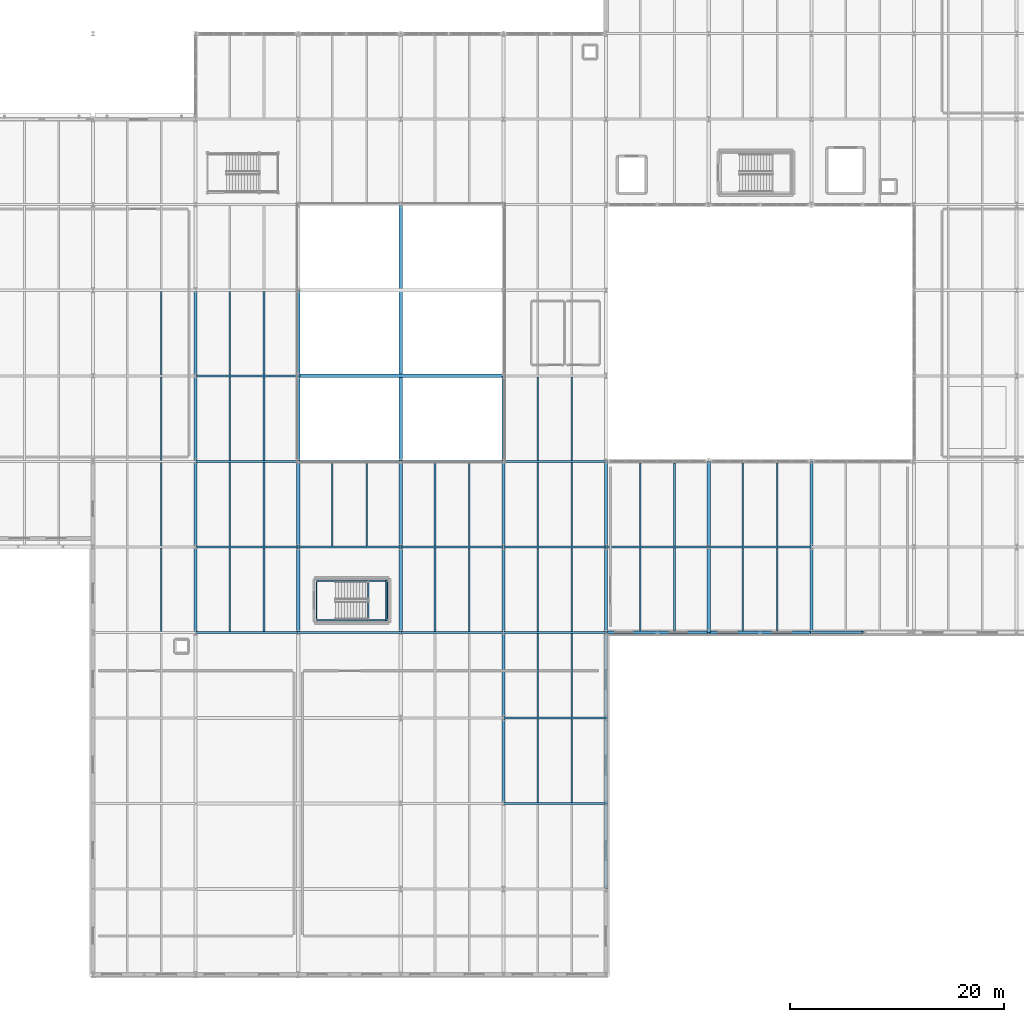
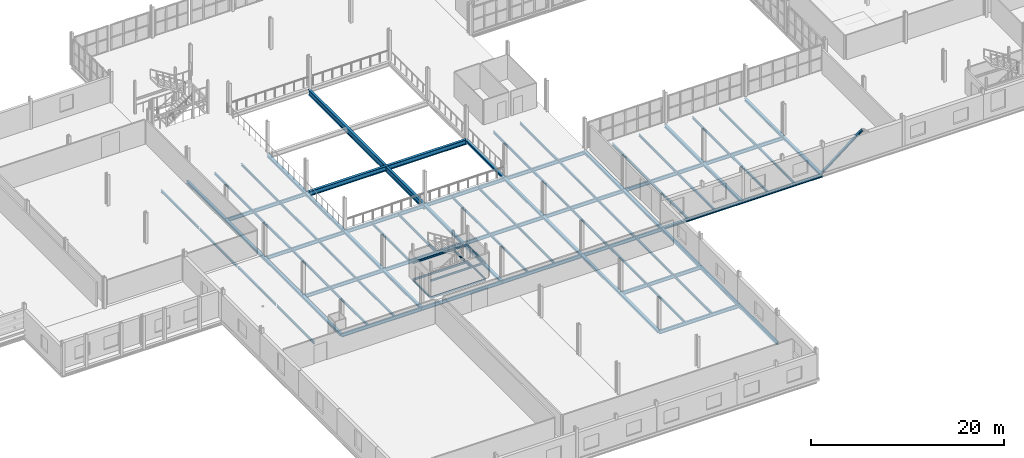
# One storey, part 33 of 78: 89 beams, 1 member.
"""IFC4 building model written with IfcOpenShell, lengths in metres."""

from ifc_helpers import new_model, si_unit, direction, frame, origin, origin_2d, place, context, subcontext, project, spatial, i_section, extrude, material, material_profile, profile_set, type_object, element, save


model = new_model("IFC4")

# Units and contexts
model_context = context("Model", 3, precision=1e-05, world=origin(), true_north=direction((0.0, 1.0)))
body_context = subcontext(model_context, "Body", "Model", "MODEL_VIEW")
ifc_project = project(units=[si_unit("LENGTHUNIT", "METRE"), si_unit("AREAUNIT", "SQUARE_METRE"), si_unit("VOLUMEUNIT", "CUBIC_METRE"), si_unit("PLANEANGLEUNIT", "RADIAN"), si_unit("MASSUNIT", "GRAM", prefix="KILO")], contexts=[model_context])

# Site, building, storey
site_placement = place(None, origin())
site = spatial("IfcSite", under=ifc_project, at=site_placement, CompositionType="ELEMENT")
building_placement = place(site_placement, origin())
building = spatial("IfcBuilding", under=site, at=building_placement, Name="Alderhovde Museum", CompositionType="ELEMENT")
storey_placement = place(building_placement, frame((0.0, 0.0, 4.5)))
storey = spatial("IfcBuildingStorey", under=building, at=storey_placement, Name="L01", CompositionType="ELEMENT", Elevation=4.5)

# Beams
ifc_material_1 = material(Name="Steel S355J2", Category="steel")
ifc_material_profile_1 = material_profile(ifc_material_1, i_section(OverallWidth=0.300048828125, OverallDepth=0.330078125, WebThickness=0.009521484375, FlangeThickness=0.0166015625, FilletRadius=0.027099609375, at=origin_2d()), Name="HEA 340")
ifc_profile_set_1 = profile_set([ifc_material_profile_1], Name="Steel S355J2")
beam_type_1 = type_object("IfcBeamType", Name="BM-HEA340", PredefinedType="BEAM", material=ifc_profile_set_1)
for number, where, z_axis, x_axis, name in (
    (1, (76.800048828125, 32.0, -0.425048828125), (0.0, 1.0, 0.0), (-1.0, 0.0, 0.0), "L01 Grid Beam X=76.8 (32.0 TO 40.0)"),
    (2, (76.800048828125, 40.0, -0.425048828125), (0.0, 1.0, 0.0), (-1.0, 0.0, 0.0), "L01 Grid Beam X=76.8 (40.0 TO 48.0)"),
    (3, (76.800048828125, 48.0, -0.425048828125), (0.0, 1.0, 0.0), (-1.0, 0.0, 0.0), "L01 Grid Beam X=76.8 (48.0 TO 56.0)"),
    (4, (76.800048828125, 56.0, -0.425048828125), (0.0, 1.0, 0.0), (-1.0, 0.0, 0.0), "L01 Grid Beam X=76.8 (56.0 TO 64.0)"),
    (5, (86.39990234375, 32.0, -0.425048828125), (0.0, 1.0, 0.0), (-1.0, 0.0, 0.0), "L01 Grid Beam X=86.4 (32.0 TO 40.0)"),
    (6, (86.39990234375, 40.0, -0.425048828125), (0.0, 1.0, 0.0), (-1.0, 0.0, 0.0), "L01 Grid Beam X=86.4 (40.0 TO 48.0)"),
    (7, (86.39990234375, 48.0, -0.425048828125), (0.0, 1.0, 0.0), (-1.0, 0.0, 0.0), "L01 Grid Beam X=86.4 (48.0 TO 56.0)"),
    (8, (86.39990234375, 56.0, -0.425048828125), (0.0, 1.0, 0.0), (-1.0, 0.0, 0.0), "L01 Grid Beam X=86.4 (56.0 TO 64.0)"),
    (9, (96.0, 32.0, -0.425048828125), (0.0, 1.0, 0.0), (-1.0, 0.0, 0.0), "L01 Grid Beam X=96.0 (32.0 TO 40.0)"),
    (10, (96.0, 40.0, -0.425048828125), (0.0, 1.0, 0.0), (-1.0, 0.0, 0.0), "L01 Grid Beam X=96.0 (40.0 TO 48.0)"),
    (11, (105.60009765625, 16.0, -0.425048828125), (0.0, 1.0, 0.0), (-1.0, 0.0, 0.0), "L01 Grid Beam X=105.6 (16.0 TO 24.0)"),
    (12, (105.60009765625, 24.0, -0.425048828125), (0.0, 1.0, 0.0), (-1.0, 0.0, 0.0), "L01 Grid Beam X=105.6 (24.0 TO 32.0)"),
    (13, (105.60009765625, 32.0, -0.425048828125), (0.0, 1.0, 0.0), (-1.0, 0.0, 0.0), "L01 Grid Beam X=105.6 (32.0 TO 40.0)"),
    (14, (105.60009765625, 40.0, -0.425048828125), (0.0, 1.0, 0.0), (-1.0, 0.0, 0.0), "L01 Grid Beam X=105.6 (40.0 TO 48.0)"),
    (15, (105.60009765625, 48.0, -0.425048828125), (0.0, 1.0, 0.0), (-1.0, 0.0, 0.0), "L01 Grid Beam X=105.6 (48.0 TO 56.0)"),
    (16, (115.199951171875, 8.0, -0.425048828125), (0.0, 1.0, 0.0), (-1.0, 0.0, 0.0), "L01 Grid Beam X=115.2 (8.0 TO 16.0)"),
    (17, (115.199951171875, 16.0, -0.425048828125), (0.0, 1.0, 0.0), (-1.0, 0.0, 0.0), "L01 Grid Beam X=115.2 (16.0 TO 24.0)"),
    (18, (115.199951171875, 24.0, -0.425048828125), (0.0, 1.0, 0.0), (-1.0, 0.0, 0.0), "L01 Grid Beam X=115.2 (24.0 TO 32.0)"),
    (19, (115.199951171875, 32.0, -0.425048828125), (0.0, 1.0, 0.0), (-1.0, 0.0, 0.0), "L01 Grid Beam X=115.2 (32.0 TO 40.0)"),
    (20, (115.199951171875, 40.0, -0.425048828125), (0.0, 1.0, 0.0), (-1.0, 0.0, 0.0), "L01 Grid Beam X=115.2 (40.0 TO 48.0)"),
    (21, (124.800048828125, 32.0, -0.425048828125), (0.0, 1.0, 0.0), (-1.0, 0.0, 0.0), "L01 Grid Beam X=124.8 (32.0 TO 40.0)"),
    (22, (124.800048828125, 40.0, -0.425048828125), (0.0, 1.0, 0.0), (-1.0, 0.0, 0.0), "L01 Grid Beam X=124.8 (40.0 TO 48.0)"),
    (23, (134.39990234375, 32.0, -0.425048828125), (0.0, 1.0, 0.0), (-1.0, 0.0, 0.0), "L01 Grid Beam X=134.4 (32.0 TO 40.0)"),
    (24, (134.39990234375, 40.0, -0.425048828125), (0.0, 1.0, 0.0), (-1.0, 0.0, 0.0), "L01 Grid Beam X=134.4 (40.0 TO 48.0)"),
):
    element("IfcBeam", number, at=place(storey_placement, frame(where, z_axis=z_axis, x_axis=x_axis)), inside=storey, type_object=beam_type_1, Name=name, PredefinedType="BEAM", context=body_context, shape_type="SweptSolid", body=[
        extrude(i_section(OverallWidth=0.300048828125, OverallDepth=0.330078125, WebThickness=0.009521484375, FlangeThickness=0.0166015625, FilletRadius=0.027099609375, at=origin_2d()), origin(), (0.0, 0.0, 1.0), 8.0),
    ])
ifc_material_2 = material(Name="Steel S355J2", Category="steel")
ifc_material_profile_2 = material_profile(ifc_material_2, i_section(OverallWidth=0.300048828125, OverallDepth=0.60009765625, WebThickness=0.015380859375, FlangeThickness=0.030029296875, FilletRadius=0.027099609375, at=origin_2d()), Name="HEB 600")
ifc_profile_set_2 = profile_set([ifc_material_profile_2], Name="Steel S355J2")
beam_type_2 = type_object("IfcBeamType", Name="BM-HEB600", PredefinedType="BEAM", material=ifc_profile_set_2)
beam_1_placement = place(storey_placement, frame((86.39990234375, 56.0, -0.56005859375), z_axis=(1.0, 0.0, 0.0), x_axis=(0.0, 1.0, 0.0)))
element("IfcBeam", 25, at=beam_1_placement, inside=storey, type_object=beam_type_2, Name="L01 Grid Beam Y=56.0 (86.4 TO 105.6)", PredefinedType="BEAM", context=body_context, shape_type="SweptSolid", body=[
    extrude(i_section(OverallWidth=0.300048828125, OverallDepth=0.60009765625, WebThickness=0.015380859375, FlangeThickness=0.030029296875, FilletRadius=0.027099609375, at=origin_2d()), origin(), (0.0, 0.0, 1.0), 19.2001953125),
])
ifc_material_3 = material(Name="Steel S355J2", Category="steel")
ifc_material_profile_3 = material_profile(ifc_material_3, i_section(OverallWidth=0.300048828125, OverallDepth=0.699951171875, WebThickness=0.01708984375, FlangeThickness=0.031982421875, FilletRadius=0.027099609375, at=origin_2d()), Name="HEB 700")
ifc_profile_set_3 = profile_set([ifc_material_profile_3], Name="Steel S355J2")
beam_type_3 = type_object("IfcBeamType", Name="BM-HEB700", PredefinedType="BEAM", material=ifc_profile_set_3)
beam_2_placement = place(storey_placement, frame((96.0, 48.0, -0.610107421875), z_axis=(0.0, 1.0, 0.0), x_axis=(-1.0, 0.0, 0.0)))
element("IfcBeam", 26, at=beam_2_placement, inside=storey, type_object=beam_type_3, Name="L01 Grid Beam X=96.0 (48.0 TO 72.0)", PredefinedType="BEAM", context=body_context, shape_type="SweptSolid", body=[
    extrude(i_section(OverallWidth=0.300048828125, OverallDepth=0.699951171875, WebThickness=0.01708984375, FlangeThickness=0.031982421875, FilletRadius=0.027099609375, at=origin_2d()), origin(), (0.0, 0.0, 1.0), 24.0),
])
ifc_material_4 = material(Name="Steel S355J2", Category="steel")
ifc_material_profile_4 = material_profile(ifc_material_4, i_section(OverallWidth=0.1201171875, OverallDepth=0.239990234375, WebThickness=0.006103515625, FlangeThickness=0.009765625, FilletRadius=0.014892578125, at=origin_2d()), Name="IPE 240")
ifc_profile_set_4 = profile_set([ifc_material_profile_4], Name="Steel S355J2")
beam_type_4 = type_object("IfcBeamType", Name="BM-IPE240", PredefinedType="BEAM", material=ifc_profile_set_4)
for number, where, z_axis, x_axis, name in (
    (27, (88.1201171875, 33.1201171875, -0.3798828125), (1.0, 0.0, 0.0), (0.0, 1.0, 0.0), "L01 Stair ST3 Floor Trimmer S"),
    (28, (88.1201171875, 36.840087890625, -0.3798828125), (1.0, 0.0, 0.0), (0.0, 1.0, 0.0), "L01 Stair ST3 Floor Trimmer N"),
):
    element("IfcBeam", number, at=place(storey_placement, frame(where, z_axis=z_axis, x_axis=x_axis)), inside=storey, type_object=beam_type_4, Name=name, PredefinedType="BEAM", context=body_context, shape_type="SweptSolid", body=[
        extrude(i_section(OverallWidth=0.1201171875, OverallDepth=0.239990234375, WebThickness=0.006103515625, FlangeThickness=0.009765625, FilletRadius=0.014892578125, at=origin_2d()), origin(), (0.0, 0.0, 1.0), 6.599853515625),
    ])
for number, where, z_axis, x_axis, name in (
    (29, (88.1201171875, 33.1201171875, -0.3798828125), (0.0, 1.0, 0.0), (-1.0, 0.0, 0.0), "L01 Stair ST3 Floor Trimmer W"),
    (30, (94.719970703125, 33.1201171875, -0.3798828125), (0.0, 1.0, 0.0), (-1.0, 0.0, 0.0), "L01 Stair ST3 Floor Trimmer E"),
):
    element("IfcBeam", number, at=place(storey_placement, frame(where, z_axis=z_axis, x_axis=x_axis)), inside=storey, type_object=beam_type_4, Name=name, PredefinedType="BEAM", context=body_context, shape_type="SweptSolid", body=[
        extrude(i_section(OverallWidth=0.1201171875, OverallDepth=0.239990234375, WebThickness=0.006103515625, FlangeThickness=0.009765625, FilletRadius=0.014892578125, at=origin_2d()), origin(), (0.0, 0.0, 1.0), 3.719970703125),
    ])
for number, where, z_axis, x_axis, name in (
    (31, (88.1201171875, 33.1201171875, 1.780029296875), (1.0, 0.0, 0.0), (0.0, 1.0, 0.0), "L01 Stair ST3 Landing 1 Beam S"),
    (32, (88.1201171875, 36.840087890625, 1.780029296875), (1.0, 0.0, 0.0), (0.0, 1.0, 0.0), "L01 Stair ST3 Landing 1 Beam N"),
):
    element("IfcBeam", number, at=place(storey_placement, frame(where, z_axis=z_axis, x_axis=x_axis)), inside=storey, type_object=beam_type_4, Name=name, PredefinedType="BEAM", context=body_context, shape_type="SweptSolid", body=[
        extrude(i_section(OverallWidth=0.1201171875, OverallDepth=0.239990234375, WebThickness=0.006103515625, FlangeThickness=0.009765625, FilletRadius=0.014892578125, at=origin_2d()), origin(), (0.0, 0.0, 1.0), 6.599853515625),
    ])
for number, where, z_axis, x_axis, name in (
    (33, (92.9599609375, 33.1201171875, 1.780029296875), (0.0, 1.0, 0.0), (-1.0, 0.0, 0.0), "L01 Stair ST3 Landing 1 Beam W"),
    (34, (94.639892578125, 33.1201171875, 1.780029296875), (0.0, 1.0, 0.0), (-1.0, 0.0, 0.0), "L01 Stair ST3 Landing 1 Beam E"),
):
    element("IfcBeam", number, at=place(storey_placement, frame(where, z_axis=z_axis, x_axis=x_axis)), inside=storey, type_object=beam_type_4, Name=name, PredefinedType="BEAM", context=body_context, shape_type="SweptSolid", body=[
        extrude(i_section(OverallWidth=0.1201171875, OverallDepth=0.239990234375, WebThickness=0.006103515625, FlangeThickness=0.009765625, FilletRadius=0.014892578125, at=origin_2d()), origin(), (0.0, 0.0, 1.0), 3.719970703125),
    ])
ifc_material_5 = material(Name="Steel S355J2", Category="steel")
ifc_material_profile_5 = material_profile(ifc_material_5, i_section(OverallWidth=0.18994140625, OverallDepth=0.449951171875, WebThickness=0.009521484375, FlangeThickness=0.0146484375, FilletRadius=0.02099609375, at=origin_2d()), Name="IPE 450")
ifc_profile_set_5 = profile_set([ifc_material_profile_5], Name="Steel S355J2")
beam_type_5 = type_object("IfcBeamType", Name="BM-IPE450", PredefinedType="BEAM", material=ifc_profile_set_5)
for number, where, z_axis, x_axis, name in (
    (35, (105.60009765625, 16.0, -0.485107421875), (1.0, 0.0, 0.0), (0.0, 1.0, 0.0), "L01 Grid Beam Y=16.0 (105.6 TO 115.2)"),
    (36, (105.60009765625, 24.0, -0.485107421875), (1.0, 0.0, 0.0), (0.0, 1.0, 0.0), "L01 Grid Beam Y=24.0 (105.6 TO 115.2)"),
    (37, (76.800048828125, 32.0, -0.485107421875), (1.0, 0.0, 0.0), (0.0, 1.0, 0.0), "L01 Grid Beam Y=32.0 (76.8 TO 86.4)"),
):
    element("IfcBeam", number, at=place(storey_placement, frame(where, z_axis=z_axis, x_axis=x_axis)), inside=storey, type_object=beam_type_5, Name=name, PredefinedType="BEAM", context=body_context, shape_type="SweptSolid", body=[
        extrude(i_section(OverallWidth=0.18994140625, OverallDepth=0.449951171875, WebThickness=0.009521484375, FlangeThickness=0.0146484375, FilletRadius=0.02099609375, at=origin_2d()), origin(), (0.0, 0.0, 1.0), 9.599853515625),
    ])
for number, where, z_axis, x_axis, name in (
    (38, (86.39990234375, 32.0, -0.485107421875), (1.0, 0.0, 0.0), (0.0, 1.0, 0.0), "L01 Grid Beam Y=32.0 (86.4 TO 96.0)"),
    (39, (96.0, 32.0, -0.485107421875), (1.0, 0.0, 0.0), (0.0, 1.0, 0.0), "L01 Grid Beam Y=32.0 (96.0 TO 105.6)"),
):
    element("IfcBeam", number, at=place(storey_placement, frame(where, z_axis=z_axis, x_axis=x_axis)), inside=storey, type_object=beam_type_5, Name=name, PredefinedType="BEAM", context=body_context, shape_type="SweptSolid", body=[
        extrude(i_section(OverallWidth=0.18994140625, OverallDepth=0.449951171875, WebThickness=0.009521484375, FlangeThickness=0.0146484375, FilletRadius=0.02099609375, at=origin_2d()), origin(), (0.0, 0.0, 1.0), 9.60009765625),
    ])
for number, where, z_axis, x_axis, name in (
    (40, (105.60009765625, 32.0, -0.485107421875), (1.0, 0.0, 0.0), (0.0, 1.0, 0.0), "L01 Grid Beam Y=32.0 (105.6 TO 115.2)"),
    (41, (76.800048828125, 40.0, -0.485107421875), (1.0, 0.0, 0.0), (0.0, 1.0, 0.0), "L01 Grid Beam Y=40.0 (76.8 TO 86.4)"),
):
    element("IfcBeam", number, at=place(storey_placement, frame(where, z_axis=z_axis, x_axis=x_axis)), inside=storey, type_object=beam_type_5, Name=name, PredefinedType="BEAM", context=body_context, shape_type="SweptSolid", body=[
        extrude(i_section(OverallWidth=0.18994140625, OverallDepth=0.449951171875, WebThickness=0.009521484375, FlangeThickness=0.0146484375, FilletRadius=0.02099609375, at=origin_2d()), origin(), (0.0, 0.0, 1.0), 9.599853515625),
    ])
for number, where, z_axis, x_axis, name in (
    (42, (86.39990234375, 40.0, -0.485107421875), (1.0, 0.0, 0.0), (0.0, 1.0, 0.0), "L01 Grid Beam Y=40.0 (86.4 TO 96.0)"),
    (43, (96.0, 40.0, -0.485107421875), (1.0, 0.0, 0.0), (0.0, 1.0, 0.0), "L01 Grid Beam Y=40.0 (96.0 TO 105.6)"),
):
    element("IfcBeam", number, at=place(storey_placement, frame(where, z_axis=z_axis, x_axis=x_axis)), inside=storey, type_object=beam_type_5, Name=name, PredefinedType="BEAM", context=body_context, shape_type="SweptSolid", body=[
        extrude(i_section(OverallWidth=0.18994140625, OverallDepth=0.449951171875, WebThickness=0.009521484375, FlangeThickness=0.0146484375, FilletRadius=0.02099609375, at=origin_2d()), origin(), (0.0, 0.0, 1.0), 9.60009765625),
    ])
beam_3_placement = place(storey_placement, frame((105.60009765625, 40.0, -0.485107421875), z_axis=(1.0, 0.0, 0.0), x_axis=(0.0, 1.0, 0.0)))
element("IfcBeam", 44, at=beam_3_placement, inside=storey, type_object=beam_type_5, Name="L01 Grid Beam Y=40.0 (105.6 TO 115.2)", PredefinedType="BEAM", context=body_context, shape_type="SweptSolid", body=[
    extrude(i_section(OverallWidth=0.18994140625, OverallDepth=0.449951171875, WebThickness=0.009521484375, FlangeThickness=0.0146484375, FilletRadius=0.02099609375, at=origin_2d()), origin(), (0.0, 0.0, 1.0), 9.599853515625),
])
beam_4_placement = place(storey_placement, frame((115.199951171875, 40.0, -0.485107421875), z_axis=(1.0, 0.0, 0.0), x_axis=(0.0, 1.0, 0.0)))
element("IfcBeam", 45, at=beam_4_placement, inside=storey, type_object=beam_type_5, Name="L01 Grid Beam Y=40.0 (115.2 TO 124.8)", PredefinedType="BEAM", context=body_context, shape_type="SweptSolid", body=[
    extrude(i_section(OverallWidth=0.18994140625, OverallDepth=0.449951171875, WebThickness=0.009521484375, FlangeThickness=0.0146484375, FilletRadius=0.02099609375, at=origin_2d()), origin(), (0.0, 0.0, 1.0), 9.60009765625),
])
for number, where, z_axis, x_axis, name in (
    (46, (124.800048828125, 40.0, -0.485107421875), (1.0, 0.0, 0.0), (0.0, 1.0, 0.0), "L01 Grid Beam Y=40.0 (124.8 TO 134.4)"),
    (47, (76.800048828125, 48.0, -0.485107421875), (1.0, 0.0, 0.0), (0.0, 1.0, 0.0), "L01 Grid Beam Y=48.0 (76.8 TO 86.4)"),
):
    element("IfcBeam", number, at=place(storey_placement, frame(where, z_axis=z_axis, x_axis=x_axis)), inside=storey, type_object=beam_type_5, Name=name, PredefinedType="BEAM", context=body_context, shape_type="SweptSolid", body=[
        extrude(i_section(OverallWidth=0.18994140625, OverallDepth=0.449951171875, WebThickness=0.009521484375, FlangeThickness=0.0146484375, FilletRadius=0.02099609375, at=origin_2d()), origin(), (0.0, 0.0, 1.0), 9.599853515625),
    ])
for number, where, z_axis, x_axis, name in (
    (48, (86.39990234375, 48.0, -0.485107421875), (1.0, 0.0, 0.0), (0.0, 1.0, 0.0), "L01 Grid Beam Y=48.0 (86.4 TO 96.0)"),
    (49, (96.0, 48.0, -0.485107421875), (1.0, 0.0, 0.0), (0.0, 1.0, 0.0), "L01 Grid Beam Y=48.0 (96.0 TO 105.6)"),
):
    element("IfcBeam", number, at=place(storey_placement, frame(where, z_axis=z_axis, x_axis=x_axis)), inside=storey, type_object=beam_type_5, Name=name, PredefinedType="BEAM", context=body_context, shape_type="SweptSolid", body=[
        extrude(i_section(OverallWidth=0.18994140625, OverallDepth=0.449951171875, WebThickness=0.009521484375, FlangeThickness=0.0146484375, FilletRadius=0.02099609375, at=origin_2d()), origin(), (0.0, 0.0, 1.0), 9.60009765625),
    ])
for number, where, z_axis, x_axis, name in (
    (50, (105.60009765625, 48.0, -0.485107421875), (1.0, 0.0, 0.0), (0.0, 1.0, 0.0), "L01 Grid Beam Y=48.0 (105.6 TO 115.2)"),
    (51, (76.800048828125, 56.0, -0.485107421875), (1.0, 0.0, 0.0), (0.0, 1.0, 0.0), "L01 Grid Beam Y=56.0 (76.8 TO 86.4)"),
):
    element("IfcBeam", number, at=place(storey_placement, frame(where, z_axis=z_axis, x_axis=x_axis)), inside=storey, type_object=beam_type_5, Name=name, PredefinedType="BEAM", context=body_context, shape_type="SweptSolid", body=[
        extrude(i_section(OverallWidth=0.18994140625, OverallDepth=0.449951171875, WebThickness=0.009521484375, FlangeThickness=0.0146484375, FilletRadius=0.02099609375, at=origin_2d()), origin(), (0.0, 0.0, 1.0), 9.599853515625),
    ])

# Member
ifc_material_6 = material(Name="Steel S355J2", Category="steel")
ifc_material_profile_6 = material_profile(ifc_material_6, i_section(OverallWidth=0.239990234375, OverallDepth=0.22998046875, WebThickness=0.007568359375, FlangeThickness=0.011962890625, FilletRadius=0.02099609375, at=origin_2d()), Name="HEA 240")
ifc_profile_set_6 = profile_set([ifc_material_profile_6], Name="Steel S355J2")
member_type = type_object("IfcMemberType", Name="BR-HEA240", PredefinedType="BRACE", material=ifc_profile_set_6)
member_placement = place(storey_placement, frame((134.39990234375, 32.0, 0.0), z_axis=(0.790420405146, 0.0, 0.612564758314), x_axis=(0.0, 1.0, 0.0)))
element("IfcMember", 52, at=member_placement, inside=storey, type_object=member_type, Name="L01 Chevron Brace BR-V5-S-L", PredefinedType="BRACE", context=body_context, shape_type="SweptSolid", body=[
    extrude(i_section(OverallWidth=0.239990234375, OverallDepth=0.22998046875, WebThickness=0.007568359375, FlangeThickness=0.011962890625, FilletRadius=0.02099609375, at=origin_2d()), origin(), (0.0, 0.0, 1.0), 6.07275390625),
])

# Beams
ifc_material_7 = material(Name="Steel S355J2", Category="steel")
ifc_material_profile_7 = material_profile(ifc_material_7, i_section(OverallWidth=0.14990234375, OverallDepth=0.300048828125, WebThickness=0.007080078125, FlangeThickness=0.0107421875, FilletRadius=0.014892578125, at=origin_2d()), Name="IPE 300")
ifc_profile_set_7 = profile_set([ifc_material_profile_7], Name="Steel S355J2")
beam_type_6 = type_object("IfcBeamType", Name="JST-IPE300", PredefinedType="JOIST", material=ifc_profile_set_7)
for number, where, z_axis, x_axis, name in (
    (53, (73.60009765625, 32.094970703125, -0.409912109375), (0.0, 1.0, 0.0), (-1.0, 0.0, 0.0), "L01 Composite Joist X=73.6 (32.0 TO 40.0)"),
    (54, (73.60009765625, 40.094970703125, -0.409912109375), (0.0, 1.0, 0.0), (-1.0, 0.0, 0.0), "L01 Composite Joist X=73.6 (40.0 TO 48.0)"),
    (55, (73.60009765625, 48.094970703125, -0.409912109375), (0.0, 1.0, 0.0), (-1.0, 0.0, 0.0), "L01 Composite Joist X=73.6 (48.0 TO 56.0)"),
    (56, (73.60009765625, 56.094970703125, -0.409912109375), (0.0, 1.0, 0.0), (-1.0, 0.0, 0.0), "L01 Composite Joist X=73.6 (56.0 TO 64.0)"),
    (57, (80.0, 32.094970703125, -0.409912109375), (0.0, 1.0, 0.0), (-1.0, 0.0, 0.0), "L01 Composite Joist X=80.0 (32.0 TO 40.0)"),
    (58, (83.199951171875, 32.094970703125, -0.409912109375), (0.0, 1.0, 0.0), (-1.0, 0.0, 0.0), "L01 Composite Joist X=83.2 (32.0 TO 40.0)"),
    (59, (80.0, 40.094970703125, -0.409912109375), (0.0, 1.0, 0.0), (-1.0, 0.0, 0.0), "L01 Composite Joist X=80.0 (40.0 TO 48.0)"),
    (60, (83.199951171875, 40.094970703125, -0.409912109375), (0.0, 1.0, 0.0), (-1.0, 0.0, 0.0), "L01 Composite Joist X=83.2 (40.0 TO 48.0)"),
    (61, (80.0, 48.094970703125, -0.409912109375), (0.0, 1.0, 0.0), (-1.0, 0.0, 0.0), "L01 Composite Joist X=80.0 (48.0 TO 56.0)"),
    (62, (83.199951171875, 48.094970703125, -0.409912109375), (0.0, 1.0, 0.0), (-1.0, 0.0, 0.0), "L01 Composite Joist X=83.2 (48.0 TO 56.0)"),
    (63, (80.0, 56.094970703125, -0.409912109375), (0.0, 1.0, 0.0), (-1.0, 0.0, 0.0), "L01 Composite Joist X=80.0 (56.0 TO 64.0)"),
    (64, (83.199951171875, 56.094970703125, -0.409912109375), (0.0, 1.0, 0.0), (-1.0, 0.0, 0.0), "L01 Composite Joist X=83.2 (56.0 TO 64.0)"),
    (65, (89.60009765625, 40.094970703125, -0.409912109375), (0.0, 1.0, 0.0), (-1.0, 0.0, 0.0), "L01 Composite Joist X=89.6 (40.0 TO 48.0)"),
    (66, (92.800048828125, 40.094970703125, -0.409912109375), (0.0, 1.0, 0.0), (-1.0, 0.0, 0.0), "L01 Composite Joist X=92.8 (40.0 TO 48.0)"),
    (67, (99.199951171875, 32.094970703125, -0.409912109375), (0.0, 1.0, 0.0), (-1.0, 0.0, 0.0), "L01 Composite Joist X=99.2 (32.0 TO 40.0)"),
    (68, (102.39990234375, 32.094970703125, -0.409912109375), (0.0, 1.0, 0.0), (-1.0, 0.0, 0.0), "L01 Composite Joist X=102.4 (32.0 TO 40.0)"),
    (69, (99.199951171875, 40.094970703125, -0.409912109375), (0.0, 1.0, 0.0), (-1.0, 0.0, 0.0), "L01 Composite Joist X=99.2 (40.0 TO 48.0)"),
    (70, (102.39990234375, 40.094970703125, -0.409912109375), (0.0, 1.0, 0.0), (-1.0, 0.0, 0.0), "L01 Composite Joist X=102.4 (40.0 TO 48.0)"),
    (71, (108.800048828125, 16.094970703125, -0.409912109375), (0.0, 1.0, 0.0), (-1.0, 0.0, 0.0), "L01 Composite Joist X=108.8 (16.0 TO 24.0)"),
    (72, (112.0, 16.094970703125, -0.409912109375), (0.0, 1.0, 0.0), (-1.0, 0.0, 0.0), "L01 Composite Joist X=112.0 (16.0 TO 24.0)"),
    (73, (108.800048828125, 24.094970703125, -0.409912109375), (0.0, 1.0, 0.0), (-1.0, 0.0, 0.0), "L01 Composite Joist X=108.8 (24.0 TO 32.0)"),
    (74, (112.0, 24.094970703125, -0.409912109375), (0.0, 1.0, 0.0), (-1.0, 0.0, 0.0), "L01 Composite Joist X=112.0 (24.0 TO 32.0)"),
    (75, (108.800048828125, 32.094970703125, -0.409912109375), (0.0, 1.0, 0.0), (-1.0, 0.0, 0.0), "L01 Composite Joist X=108.8 (32.0 TO 40.0)"),
    (76, (112.0, 32.094970703125, -0.409912109375), (0.0, 1.0, 0.0), (-1.0, 0.0, 0.0), "L01 Composite Joist X=112.0 (32.0 TO 40.0)"),
    (77, (108.800048828125, 40.094970703125, -0.409912109375), (0.0, 1.0, 0.0), (-1.0, 0.0, 0.0), "L01 Composite Joist X=108.8 (40.0 TO 48.0)"),
    (78, (112.0, 40.094970703125, -0.409912109375), (0.0, 1.0, 0.0), (-1.0, 0.0, 0.0), "L01 Composite Joist X=112.0 (40.0 TO 48.0)"),
    (79, (108.800048828125, 48.094970703125, -0.409912109375), (0.0, 1.0, 0.0), (-1.0, 0.0, 0.0), "L01 Composite Joist X=108.8 (48.0 TO 56.0)"),
    (80, (112.0, 48.094970703125, -0.409912109375), (0.0, 1.0, 0.0), (-1.0, 0.0, 0.0), "L01 Composite Joist X=112.0 (48.0 TO 56.0)"),
):
    element("IfcBeam", number, at=place(storey_placement, frame(where, z_axis=z_axis, x_axis=x_axis)), inside=storey, type_object=beam_type_6, Name=name, PredefinedType="JOIST", context=body_context, shape_type="SweptSolid", body=[
        extrude(i_section(OverallWidth=0.14990234375, OverallDepth=0.300048828125, WebThickness=0.007080078125, FlangeThickness=0.0107421875, FilletRadius=0.014892578125, at=origin_2d()), origin(), (0.0, 0.0, 1.0), 7.81005859375),
    ])
for number, where, z_axis, x_axis, name in (
    (81, (118.39990234375, 32.14990234375, -0.409912109375), (0.0, 1.0, 0.0), (-1.0, 0.0, 0.0), "L01 Composite Joist X=118.4 (32.0 TO 40.0)"),
    (82, (121.60009765625, 32.14990234375, -0.409912109375), (0.0, 1.0, 0.0), (-1.0, 0.0, 0.0), "L01 Composite Joist X=121.6 (32.0 TO 40.0)"),
    (83, (118.39990234375, 40.094970703125, -0.409912109375), (0.0, 1.0, 0.0), (-1.0, 0.0, 0.0), "L01 Composite Joist X=118.4 (40.0 TO 48.0)"),
    (84, (121.60009765625, 40.094970703125, -0.409912109375), (0.0, 1.0, 0.0), (-1.0, 0.0, 0.0), "L01 Composite Joist X=121.6 (40.0 TO 48.0)"),
    (85, (128.0, 32.14990234375, -0.409912109375), (0.0, 1.0, 0.0), (-1.0, 0.0, 0.0), "L01 Composite Joist X=128.0 (32.0 TO 40.0)"),
    (86, (131.199951171875, 32.14990234375, -0.409912109375), (0.0, 1.0, 0.0), (-1.0, 0.0, 0.0), "L01 Composite Joist X=131.2 (32.0 TO 40.0)"),
    (87, (128.0, 40.094970703125, -0.409912109375), (0.0, 1.0, 0.0), (-1.0, 0.0, 0.0), "L01 Composite Joist X=128.0 (40.0 TO 48.0)"),
    (88, (131.199951171875, 40.094970703125, -0.409912109375), (0.0, 1.0, 0.0), (-1.0, 0.0, 0.0), "L01 Composite Joist X=131.2 (40.0 TO 48.0)"),
):
    element("IfcBeam", number, at=place(storey_placement, frame(where, z_axis=z_axis, x_axis=x_axis)), inside=storey, type_object=beam_type_6, Name=name, PredefinedType="JOIST", context=body_context, shape_type="SweptSolid", body=[
        extrude(i_section(OverallWidth=0.14990234375, OverallDepth=0.300048828125, WebThickness=0.007080078125, FlangeThickness=0.0107421875, FilletRadius=0.014892578125, at=origin_2d()), origin(), (0.0, 0.0, 1.0), 7.755126953125),
    ])
ifc_material_8 = material(Name="Steel S355J2", Category="steel")
ifc_material_profile_8 = material_profile(ifc_material_8, i_section(OverallWidth=0.300048828125, OverallDepth=0.2900390625, WebThickness=0.008544921875, FlangeThickness=0.013916015625, FilletRadius=0.027099609375, at=origin_2d()), Name="HEA 300")
ifc_profile_set_8 = profile_set([ifc_material_profile_8], Name="Steel S355J2")
beam_type_7 = type_object("IfcBeamType", Name="SPD-HEA300", PredefinedType="SPANDREL", material=ifc_profile_set_8)
beam_5_placement = place(storey_placement, frame((115.199951171875, 32.0, -0.405029296875), z_axis=(1.0, 0.0, 0.0), x_axis=(0.0, 1.0, 0.0)))
element("IfcBeam", 89, at=beam_5_placement, inside=storey, type_object=beam_type_7, Name="L01 Grid Beam Y=32.0 (115.2 TO 124.8)", PredefinedType="SPANDREL", context=body_context, shape_type="SweptSolid", body=[
    extrude(i_section(OverallWidth=0.300048828125, OverallDepth=0.2900390625, WebThickness=0.008544921875, FlangeThickness=0.013916015625, FilletRadius=0.027099609375, at=origin_2d()), origin(), (0.0, 0.0, 1.0), 9.60009765625),
])
beam_6_placement = place(storey_placement, frame((124.800048828125, 32.0, -0.405029296875), z_axis=(1.0, 0.0, 0.0), x_axis=(0.0, 1.0, 0.0)))
element("IfcBeam", 90, at=beam_6_placement, inside=storey, type_object=beam_type_7, Name="L01 Grid Beam Y=32.0 (124.8 TO 134.4)", PredefinedType="SPANDREL", context=body_context, shape_type="SweptSolid", body=[
    extrude(i_section(OverallWidth=0.300048828125, OverallDepth=0.2900390625, WebThickness=0.008544921875, FlangeThickness=0.013916015625, FilletRadius=0.027099609375, at=origin_2d()), origin(), (0.0, 0.0, 1.0), 9.599853515625),
])

save(model, "model.ifc")
